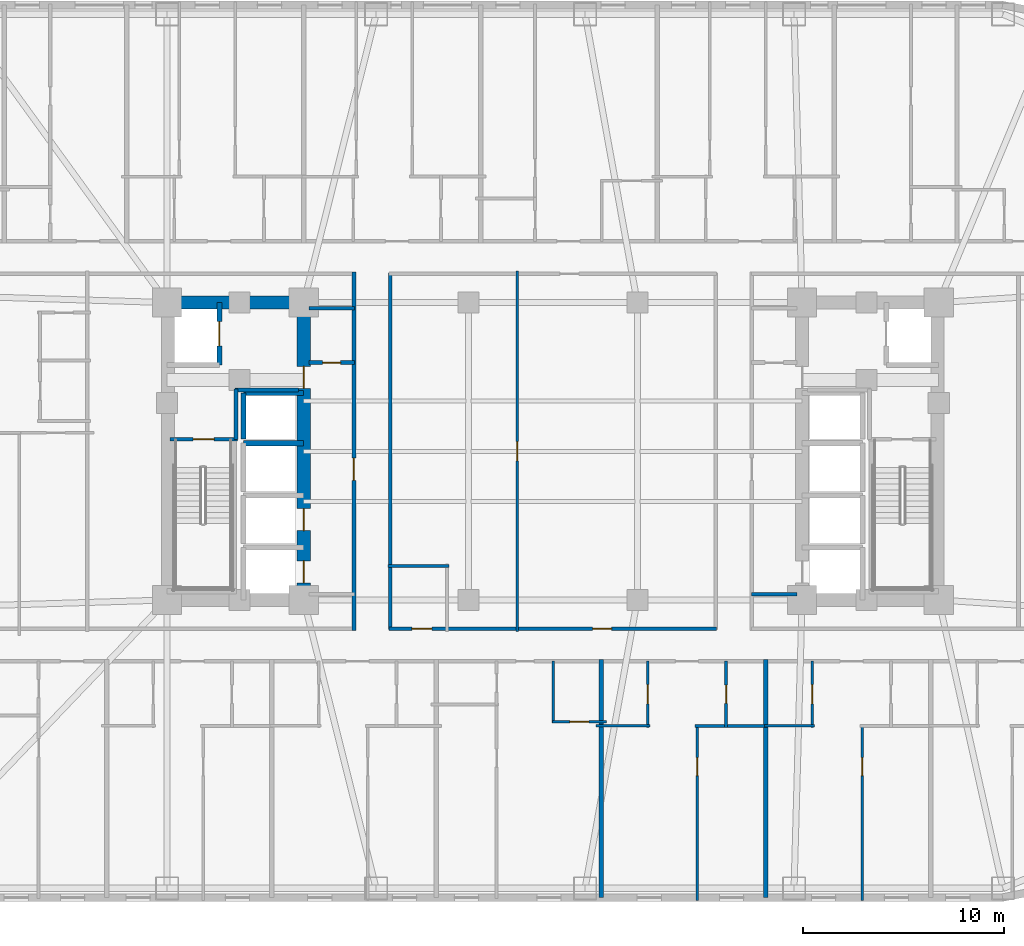
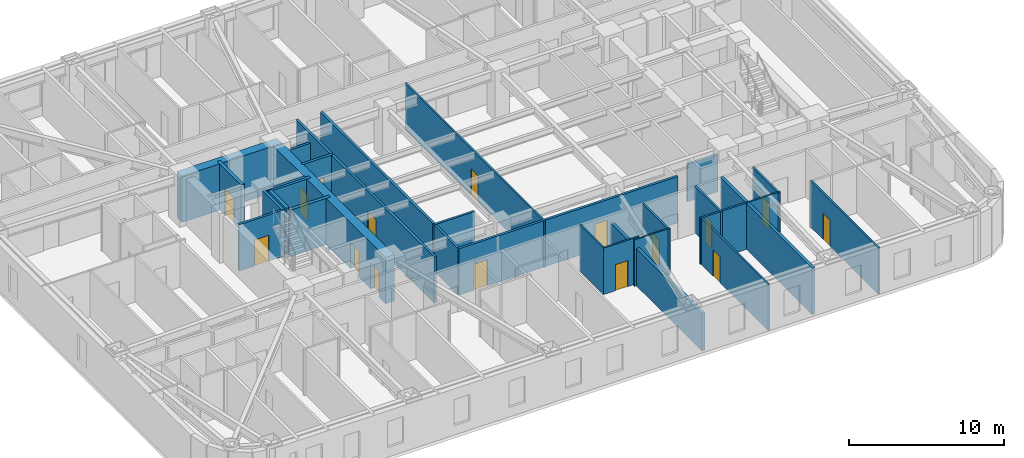
# One storey, part 5 of 12: 29 walls, 16 doors, 16 openings.
"""IFC4 building model written with IfcOpenShell, lengths in metres."""

from ifc_helpers import new_model, si_unit, direction, frame, frame_2d, origin, place, context, subcontext, project, spatial, rectangle, extrude, material, layer, layer_set, type_object, element, fill, save


model = new_model("IFC4")

# Units and contexts
model_context = context("Model", 3, precision=1e-05, world=origin(), true_north=direction((0.0, 1.0)))
body_context = subcontext(model_context, "Body", "Model", "MODEL_VIEW")
ifc_project = project(units=[si_unit("LENGTHUNIT", "METRE"), si_unit("AREAUNIT", "SQUARE_METRE"), si_unit("VOLUMEUNIT", "CUBIC_METRE"), si_unit("PLANEANGLEUNIT", "RADIAN"), si_unit("MASSUNIT", "GRAM", prefix="KILO")], contexts=[model_context])

# Site, building, storey
site_placement = place(None, origin())
site = spatial("IfcSite", under=ifc_project, at=site_placement, CompositionType="ELEMENT")
building_placement = place(site_placement, origin())
building = spatial("IfcBuilding", under=site, at=building_placement, Name="Voryun Gate Residences", CompositionType="ELEMENT")
storey_placement = place(building_placement, frame((0.0, 0.0, 72.800048828125)))
storey = spatial("IfcBuildingStorey", under=building, at=storey_placement, Name="L17", CompositionType="ELEMENT", Elevation=72.800048828125)

# Wall
ifc_material_1 = material(Name="Concrete C60/75", Category="concrete")
ifc_layer_1 = layer(ifc_material_1, 0.64990234375, Name="CW_CORE_650")
ifc_layer_set_1 = layer_set([ifc_layer_1], Name="Concrete C60/75")
wall_type_1 = type_object("IfcWallType", Name="CW_CORE_650", PredefinedType="SHEAR", material=ifc_layer_set_1)
wall_1_placement = place(storey_placement, frame((-19.52490234375, 7.39990234375, 0.0), z_axis=(0.0, 0.0, 1.0), x_axis=(1.0, 0.0, 0.0)))
element("IfcWall", 1, at=wall_1_placement, inside=storey, type_object=wall_type_1, Name="L17 Core shear wall CW-L17-WN", PredefinedType="SHEAR", context=body_context, shape_type="SweptSolid", body=[
    extrude(rectangle(XDim=7.449951171875, YDim=0.64990234375, at=frame_2d((3.72509765625, 0.0))), origin(), (0.0, 0.0, 1.0), 3.64990234375),
])

# Wall, openings, doors
wall_2_placement = place(storey_placement, frame((-12.39990234375, -7.39990234375, 0.0), z_axis=(0.0, 0.0, 1.0), x_axis=(0.0, 1.0, 0.0)))
wall_2 = element("IfcWall", 2, at=wall_2_placement, inside=storey, type_object=wall_type_1, Name="L17 Core shear wall CW-L17-WE", PredefinedType="SHEAR", context=body_context, shape_type="SweptSolid", body=[
    extrude(rectangle(XDim=14.7998046875, YDim=0.64990234375, at=frame_2d((7.39990234375, 0.0))), origin(), (0.0, 0.0, 1.0), 3.64990234375),
])
opening_1_placement = place(wall_2_placement, frame((0.85009765625, 0.0, 0.0)))
opening_1 = element("IfcOpeningElement", 3, at=opening_1_placement, cuts=wall_2, Name="Opening LD2", PredefinedType="OPENING", context=body_context, shape_type="SweptSolid", body=[
    extrude(rectangle(XDim=1.10009765625, YDim=2.050048828125, at=frame_2d((0.550048828125, 1.02490234375))), frame((0.0, 0.3349609375, 0.0), z_axis=(0.0, -1.0, 0.0), x_axis=(1.0, 0.0, 0.0)), (0.0, 0.0, 1.0), 0.669921875),
])
opening_2_placement = place(wall_2_placement, frame((3.449951171875, 0.0, 0.0)))
opening_2 = element("IfcOpeningElement", 4, at=opening_2_placement, cuts=wall_2, Name="Opening LD2", PredefinedType="OPENING", context=body_context, shape_type="SweptSolid", body=[
    extrude(rectangle(XDim=1.10009765625, YDim=2.050048828125, at=frame_2d((0.550048828125, 1.02490234375))), frame((0.0, 0.3349609375, 0.0), z_axis=(0.0, -1.0, 0.0), x_axis=(1.0, 0.0, 0.0)), (0.0, 0.0, 1.0), 0.669921875),
])
opening_3_placement = place(wall_2_placement, frame((10.530029296875, 0.0, 0.0)))
opening_3 = element("IfcOpeningElement", 5, at=opening_3_placement, cuts=wall_2, Name="Opening D-FD60-2", PredefinedType="OPENING", context=body_context, shape_type="SweptSolid", body=[
    extrude(rectangle(XDim=1.10009765625, YDim=2.050048828125, at=frame_2d((0.550048828125, 1.02490234375))), frame((0.0, 0.3349609375, 0.0), z_axis=(0.0, -1.0, 0.0), x_axis=(1.0, 0.0, 0.0)), (0.0, 0.0, 1.0), 0.669921875),
])
ifc_material_2 = material(Name="Painted steel fire door", Category="steel")
door_type_1 = type_object("IfcDoorType", Name="DR_FD60_FFLOB_1100", OperationType="NOTDEFINED", PredefinedType="DOOR", material=ifc_material_2)
door_1_placement = place(opening_3_placement, origin())
door_1 = element("IfcDoor", 6, at=door_1_placement, inside=storey, type_object=door_type_1, Name="Door DR-L17-CLOB-W", OperationType="SINGLE_SWING_LEFT", OverallHeight=2.050048828125, OverallWidth=1.10009765625, PredefinedType="DOOR", context=body_context, shape_type="SweptSolid", body=[
    extrude(rectangle(XDim=1.10009765625, YDim=2.050048828125, at=frame_2d((0.550048828125, 1.02490234375))), frame((0.0, 0.02490234375, 0.0), z_axis=(0.0, -1.0, 0.0), x_axis=(1.0, 0.0, 0.0)), (0.0, 0.0, 1.0), 0.050048828125),
])
fill(opening_3, door_1)
ifc_material_3 = material(Name="Anodised aluminium", Category="aluminium")
door_type_2 = type_object("IfcDoorType", Name="DR_LD_PASS_1100", OperationType="NOTDEFINED", PredefinedType="DOOR", material=ifc_material_3)
door_2_placement = place(opening_1_placement, origin())
door_2 = element("IfcDoor", 7, at=door_2_placement, inside=storey, type_object=door_type_2, Name="Lift EL-P1 sliding landing door L17", OperationType="SLIDING_TO_LEFT", OverallHeight=2.050048828125, OverallWidth=1.10009765625, PredefinedType="DOOR", context=body_context, shape_type="SweptSolid", body=[
    extrude(rectangle(XDim=1.10009765625, YDim=2.050048828125, at=frame_2d((0.550048828125, 1.02490234375))), frame((0.0, 0.02490234375, 0.0), z_axis=(0.0, -1.0, 0.0), x_axis=(1.0, 0.0, 0.0)), (0.0, 0.0, 1.0), 0.050048828125),
])
fill(opening_1, door_2)
door_3_placement = place(opening_2_placement, origin())
door_3 = element("IfcDoor", 8, at=door_3_placement, inside=storey, type_object=door_type_2, Name="Lift EL-P2 sliding landing door L17", OperationType="SLIDING_TO_LEFT", OverallHeight=2.050048828125, OverallWidth=1.10009765625, PredefinedType="DOOR", context=body_context, shape_type="SweptSolid", body=[
    extrude(rectangle(XDim=1.10009765625, YDim=2.050048828125, at=frame_2d((0.550048828125, 1.02490234375))), frame((0.0, 0.02490234375, 0.0), z_axis=(0.0, -1.0, 0.0), x_axis=(1.0, 0.0, 0.0)), (0.0, 0.0, 1.0), 0.050048828125),
])
fill(opening_2, door_3)

# Wall, opening, door
ifc_material_4 = material(Name="Gypsum acoustic fireboard")
ifc_layer_2 = layer(ifc_material_4, 0.179931640625, Name="W_CORR_RATED_180")
ifc_layer_set_2 = layer_set([ifc_layer_2], Name="Gypsum acoustic fireboard")
wall_type_2 = type_object("IfcWallType", Name="W_CORR_RATED_180", PredefinedType="PARTITIONING", material=ifc_layer_set_2)
wall_3_placement = place(storey_placement, frame((-19.06005859375, 0.60009765625, 0.0), z_axis=(0.0, 0.0, 1.0), x_axis=(1.0, 0.0, 0.0)))
wall_3 = element("IfcWall", 9, at=wall_3_placement, inside=storey, type_object=wall_type_2, Name="Partition wall WP-L17-STV-W", PredefinedType="PARTITIONING", context=body_context, shape_type="SweptSolid", body=[
    extrude(rectangle(XDim=3.360107421875, YDim=0.179931640625, at=frame_2d((1.68017578125, 0.0))), origin(), (0.0, 0.0, 1.0), 3.64990234375),
])
opening_4_placement = place(wall_3_placement, frame((1.155029296875, 0.0, 0.0)))
opening_4 = element("IfcOpeningElement", 10, at=opening_4_placement, cuts=wall_3, Name="Opening D-FD60-1", PredefinedType="OPENING", context=body_context, shape_type="SweptSolid", body=[
    extrude(rectangle(XDim=1.050048828125, YDim=2.050048828125, at=frame_2d((0.52490234375, 1.02490234375))), frame((0.0, 0.099853515625, 0.0), z_axis=(0.0, -1.0, 0.0), x_axis=(1.0, 0.0, 0.0)), (0.0, 0.0, 1.0), 0.199951171875),
])
ifc_material_5 = material(Name="Painted steel fire door", Category="steel")
door_type_3 = type_object("IfcDoorType", Name="DR_FD60_STAIR_1050", OperationType="NOTDEFINED", PredefinedType="DOOR", material=ifc_material_5)
door_4_placement = place(opening_4_placement, origin())
door_4 = element("IfcDoor", 11, at=door_4_placement, inside=storey, type_object=door_type_3, Name="Door DR-L17-ST-W", OperationType="SINGLE_SWING_LEFT", OverallHeight=2.050048828125, OverallWidth=1.050048828125, PredefinedType="DOOR", context=body_context, shape_type="SweptSolid", body=[
    extrude(rectangle(XDim=1.050048828125, YDim=2.050048828125, at=frame_2d((0.52490234375, 1.02490234375))), frame((0.0, 0.02490234375, 0.0), z_axis=(0.0, -1.0, 0.0), x_axis=(1.0, 0.0, 0.0)), (0.0, 0.0, 1.0), 0.050048828125),
])
fill(opening_4, door_4)

# Walls
for number, where, z_axis, x_axis, name in (
    (12, (-12.14990234375, 7.1201171875, 0.0), (0.0, 0.0, 1.0), (1.0, 0.0, 0.0), "Partition wall WP-L17-PLBN-W"),
    (13, (9.8798828125, -7.1201171875, 0.0), (0.0, 0.0, 1.0), (1.0, 0.0, 0.0), "Partition wall WP-L17-PLBS-E"),
):
    element("IfcWall", number, at=place(storey_placement, frame(where, z_axis=z_axis, x_axis=x_axis)), inside=storey, type_object=wall_type_2, Name=name, PredefinedType="PARTITIONING", context=body_context, shape_type="SweptSolid", body=[
        extrude(rectangle(XDim=2.27001953125, YDim=0.179931640625, at=frame_2d((1.135009765625, 0.0))), origin(), (0.0, 0.0, 1.0), 2.93994140625),
    ])

# Wall, opening, door
wall_4_placement = place(storey_placement, frame((-9.89990234375, -8.929931640625, 0.0), z_axis=(0.0, 0.0, 1.0), x_axis=(0.0, 1.0, 0.0)))
wall_4 = element("IfcWall", 14, at=wall_4_placement, inside=storey, type_object=wall_type_2, Name="Partition wall WP-L17-PLBW-FULL", PredefinedType="PARTITIONING", context=body_context, shape_type="SweptSolid", body=[
    extrude(rectangle(XDim=17.85986328125, YDim=0.179931640625, at=frame_2d((8.929931640625, 0.0))), origin(), (0.0, 0.0, 1.0), 3.64990234375),
])
opening_5_placement = place(wall_4_placement, frame((7.487060546875, 0.0, 0.0)))
opening_5 = element("IfcOpeningElement", 15, at=opening_5_placement, cuts=wall_4, Name="Opening D-FD60-2", PredefinedType="OPENING", context=body_context, shape_type="SweptSolid", body=[
    extrude(rectangle(XDim=1.10009765625, YDim=2.050048828125, at=frame_2d((0.550048828125, 1.02490234375))), frame((0.0, 0.099853515625, 0.0), z_axis=(0.0, -1.0, 0.0), x_axis=(1.0, 0.0, 0.0)), (0.0, 0.0, 1.0), 0.199951171875),
])
door_5_placement = place(opening_5_placement, origin())
door_5 = element("IfcDoor", 16, at=door_5_placement, inside=storey, type_object=door_type_1, Name="Door DR-L17-PLBW-COR", OperationType="SINGLE_SWING_LEFT", OverallHeight=2.050048828125, OverallWidth=1.10009765625, PredefinedType="DOOR", context=body_context, shape_type="SweptSolid", body=[
    extrude(rectangle(XDim=1.10009765625, YDim=2.050048828125, at=frame_2d((0.550048828125, 1.02490234375))), frame((0.0, 0.02490234375, 0.0), z_axis=(0.0, -1.0, 0.0), x_axis=(1.0, 0.0, 0.0)), (0.0, 0.0, 1.0), 0.050048828125),
])
fill(opening_5, door_5)

# Wall, openings, doors
wall_5_placement = place(storey_placement, frame((-8.14990234375, -8.840087890625, 0.0), z_axis=(0.0, 0.0, 1.0), x_axis=(1.0, 0.0, 0.0)))
wall_5 = element("IfcWall", 17, at=wall_5_placement, inside=storey, type_object=wall_type_2, Name="Partition wall WP-L17-Z1S", PredefinedType="PARTITIONING", context=body_context, shape_type="SweptSolid", body=[
    extrude(rectangle(XDim=16.2998046875, YDim=0.179931640625, at=frame_2d((8.14990234375, 0.0))), origin(), (0.0, 0.0, 1.0), 3.64990234375),
])
opening_6_placement = place(wall_5_placement, frame((1.1298828125, 0.0, 0.0)))
opening_6 = element("IfcOpeningElement", 18, at=opening_6_placement, cuts=wall_5, Name="Opening D-AWC-1", PredefinedType="OPENING", context=body_context, shape_type="SweptSolid", body=[
    extrude(rectangle(XDim=1.0, YDim=2.050048828125, at=frame_2d((0.5, 1.02490234375))), frame((0.0, 0.099853515625, 0.0), z_axis=(0.0, -1.0, 0.0), x_axis=(1.0, 0.0, 0.0)), (0.0, 0.0, 1.0), 0.199951171875),
])
opening_7_placement = place(wall_5_placement, frame((10.1201171875, 0.0, 0.0)))
opening_7 = element("IfcOpeningElement", 19, at=opening_7_placement, cuts=wall_5, Name="Opening D-INT-1", PredefinedType="OPENING", context=body_context, shape_type="SweptSolid", body=[
    extrude(rectangle(XDim=0.949951171875, YDim=2.050048828125, at=frame_2d((0.47509765625, 1.02490234375))), frame((0.0, 0.099853515625, 0.0), z_axis=(0.0, -1.0, 0.0), x_axis=(1.0, 0.0, 0.0)), (0.0, 0.0, 1.0), 0.199951171875),
])
ifc_material_6 = material(Name="Architectural oak veneer")
door_type_4 = type_object("IfcDoorType", Name="DR_ACC_WC_1000", OperationType="NOTDEFINED", PredefinedType="DOOR", material=ifc_material_6)
door_6_placement = place(opening_6_placement, origin())
door_6 = element("IfcDoor", 20, at=door_6_placement, inside=storey, type_object=door_type_4, Name="Door DR-L17-CMWC-D", OperationType="SINGLE_SWING_LEFT", OverallHeight=2.050048828125, OverallWidth=1.0, PredefinedType="DOOR", context=body_context, shape_type="SweptSolid", body=[
    extrude(rectangle(XDim=1.0, YDim=2.050048828125, at=frame_2d((0.5, 1.02490234375))), frame((0.0, 0.02490234375, 0.0), z_axis=(0.0, -1.0, 0.0), x_axis=(1.0, 0.0, 0.0)), (0.0, 0.0, 1.0), 0.050048828125),
])
fill(opening_6, door_6)
ifc_material_7 = material(Name="Architectural oak veneer")
door_type_5 = type_object("IfcDoorType", Name="DR_INT_ROOM_950", OperationType="NOTDEFINED", PredefinedType="DOOR", material=ifc_material_7)
door_7_placement = place(opening_7_placement, origin())
door_7 = element("IfcDoor", 21, at=door_7_placement, inside=storey, type_object=door_type_5, Name="Door DR-L17-CMIDZ1S", OperationType="SINGLE_SWING_RIGHT", OverallHeight=2.050048828125, OverallWidth=0.949951171875, PredefinedType="DOOR", context=body_context, shape_type="SweptSolid", body=[
    extrude(rectangle(XDim=0.949951171875, YDim=2.050048828125, at=frame_2d((0.47509765625, 1.02490234375))), frame((0.0, 0.02490234375, 0.0), z_axis=(0.0, -1.0, 0.0), x_axis=(1.0, 0.0, 0.0)), (0.0, 0.0, 1.0), 0.050048828125),
])
fill(opening_7, door_7)

# Walls
wall_6_placement = place(storey_placement, frame((-8.10009765625, -8.8798828125, 0.0), z_axis=(0.0, 0.0, 1.0), x_axis=(0.0, 1.0, 0.0)))
element("IfcWall", 22, at=wall_6_placement, inside=storey, type_object=wall_type_2, Name="Partition wall WP-L17-Z1W", PredefinedType="PARTITIONING", context=body_context, shape_type="SweptSolid", body=[
    extrude(rectangle(XDim=17.759765625, YDim=0.179931640625, at=frame_2d((8.8798828125, 0.0))), origin(), (0.0, 0.0, 1.0), 3.64990234375),
])
ifc_material_8 = material(Name="Concrete C40/50", Category="concrete")
ifc_layer_3 = layer(ifc_material_8, 0.199951171875, Name="W_FF_LOBBY_200")
ifc_layer_set_3 = layer_set([ifc_layer_3], Name="Concrete C40/50")
wall_type_3 = type_object("IfcWallType", Name="W_FF_LOBBY_200", PredefinedType="PARTITIONING", material=ifc_layer_set_3)
wall_7_placement = place(storey_placement, frame((-15.760009765625, 0.580078125, 0.0), z_axis=(0.0, 0.0, 1.0), x_axis=(0.0, 1.0, 0.0)))
element("IfcWall", 23, at=wall_7_placement, inside=storey, type_object=wall_type_3, Name="Partition wall WP-L17-FFP0-W", PredefinedType="PARTITIONING", context=body_context, shape_type="SweptSolid", body=[
    extrude(rectangle(XDim=2.52001953125, YDim=0.199951171875, at=frame_2d((1.260009765625, 0.0))), origin(), (0.0, 0.0, 1.0), 3.64990234375),
])
wall_8_placement = place(storey_placement, frame((-15.820068359375, 3.06005859375, 0.0), z_axis=(0.0, 0.0, 1.0), x_axis=(1.0, 0.0, 0.0)))
element("IfcWall", 24, at=wall_8_placement, inside=storey, type_object=wall_type_3, Name="Partition wall WP-L17-FFPS-W", PredefinedType="PARTITIONING", context=body_context, shape_type="SweptSolid", body=[
    extrude(rectangle(XDim=3.16015625, YDim=0.199951171875, at=frame_2d((1.580078125, 0.0))), origin(), (0.0, 0.0, 1.0), 3.64990234375),
])

# Wall, opening, door
wall_9_placement = place(storey_placement, frame((-12.14990234375, 4.409912109375, 0.0), z_axis=(0.0, 0.0, 1.0), x_axis=(1.0, 0.0, 0.0)))
wall_9 = element("IfcWall", 25, at=wall_9_placement, inside=storey, type_object=wall_type_3, Name="Partition wall WP-L17-CSFLKS-W", PredefinedType="PARTITIONING", context=body_context, shape_type="SweptSolid", body=[
    extrude(rectangle(XDim=2.27001953125, YDim=0.199951171875, at=frame_2d((1.135009765625, 0.0))), origin(), (0.0, 0.0, 1.0), 3.64990234375),
])
opening_8_placement = place(wall_9_placement, frame((0.68505859375, 0.0, 0.0)))
opening_8 = element("IfcOpeningElement", 26, at=opening_8_placement, cuts=wall_9, Name="Opening D-FD60-4", PredefinedType="OPENING", context=body_context, shape_type="SweptSolid", body=[
    extrude(rectangle(XDim=0.89990234375, YDim=2.050048828125, at=frame_2d((0.449951171875, 1.02490234375))), frame((0.0, 0.110107421875, 0.0), z_axis=(0.0, -1.0, 0.0), x_axis=(1.0, 0.0, 0.0)), (0.0, 0.0, 1.0), 0.219970703125),
])
ifc_material_9 = material(Name="Painted steel fire door", Category="steel")
door_type_6 = type_object("IfcDoorType", Name="DR_FD60_RISER_900", OperationType="NOTDEFINED", PredefinedType="DOOR", material=ifc_material_9)
door_8_placement = place(opening_8_placement, origin())
door_8 = element("IfcDoor", 27, at=door_8_placement, inside=storey, type_object=door_type_6, Name="Door DR-L17-CSFLK-W", OperationType="SINGLE_SWING_LEFT", OverallHeight=2.050048828125, OverallWidth=0.89990234375, PredefinedType="DOOR", context=body_context, shape_type="SweptSolid", body=[
    extrude(rectangle(XDim=0.89990234375, YDim=2.050048828125, at=frame_2d((0.449951171875, 1.02490234375))), frame((0.0, 0.02490234375, 0.0), z_axis=(0.0, -1.0, 0.0), x_axis=(1.0, 0.0, 0.0)), (0.0, 0.0, 1.0), 0.050048828125),
])
fill(opening_8, door_8)

# Walls
ifc_material_10 = material(Name="Concrete C40/50", Category="concrete")
ifc_layer_4 = layer(ifc_material_10, 0.219970703125, Name="W_PARTY_ACOUSTIC_220")
ifc_layer_set_4 = layer_set([ifc_layer_4], Name="Concrete C40/50")
wall_type_4 = type_object("IfcWallType", Name="W_PARTY_ACOUSTIC_220", PredefinedType="PARTITIONING", material=ifc_layer_set_4)
wall_10_placement = place(storey_placement, frame((2.39990234375, -22.2099609375, 0.0), z_axis=(0.0, 0.0, 1.0), x_axis=(0.0, 1.0, 0.0)))
element("IfcWall", 28, at=wall_10_placement, inside=storey, type_object=wall_type_4, Name="Partition wall WP-L17-SPTY-5", PredefinedType="PARTITIONING", context=body_context, shape_type="SweptSolid", body=[
    extrude(rectangle(XDim=11.83984375, YDim=0.219970703125, at=frame_2d((5.919921875, 0.0))), origin(), (0.0, 0.0, 1.0), 2.93994140625),
])
wall_11_placement = place(storey_placement, frame((10.60009765625, -22.2099609375, 0.0), z_axis=(0.0, 0.0, 1.0), x_axis=(0.0, 1.0, 0.0)))
element("IfcWall", 29, at=wall_11_placement, inside=storey, type_object=wall_type_4, Name="Partition wall WP-L17-SPTY-6", PredefinedType="PARTITIONING", context=body_context, shape_type="SweptSolid", body=[
    extrude(rectangle(XDim=11.83984375, YDim=0.219970703125, at=frame_2d((5.919921875, 0.0))), origin(), (0.0, 0.0, 1.0), 3.64990234375),
])

# Wall, opening, door
ifc_material_11 = material(Name="Concrete C50/60", Category="concrete")
ifc_layer_5 = layer(ifc_material_11, 0.25, Name="W_SHAFT_RC250")
ifc_layer_set_5 = layer_set([ifc_layer_5], Name="Concrete C50/60")
wall_type_5 = type_object("IfcWallType", Name="W_SHAFT_RC250", PredefinedType="SOLIDWALL", material=ifc_layer_set_5)
wall_12_placement = place(storey_placement, frame((-16.60009765625, 4.300048828125, 0.0), z_axis=(0.0, 0.0, 1.0), x_axis=(0.0, 1.0, 0.0)))
wall_12 = element("IfcWall", 30, at=wall_12_placement, inside=storey, type_object=wall_type_5, Name="Lift shaft wall WSH-L17-EL-FF-W1-E", PredefinedType="SOLIDWALL", context=body_context, shape_type="SweptSolid", body=[
    extrude(rectangle(XDim=3.099853515625, YDim=0.25, at=frame_2d((1.5498046875, 0.0))), origin(), (0.0, 0.0, 1.0), 3.64990234375),
])
opening_9_placement = place(wall_12_placement, frame((0.949951171875, 0.0, 0.0)))
opening_9 = element("IfcOpeningElement", 31, at=opening_9_placement, cuts=wall_12, Name="Opening LD1", PredefinedType="OPENING", context=body_context, shape_type="SweptSolid", body=[
    extrude(rectangle(XDim=1.199951171875, YDim=2.050048828125, at=frame_2d((0.60009765625, 1.02490234375))), frame((0.0, 0.135009765625, 0.0), z_axis=(0.0, -1.0, 0.0), x_axis=(1.0, 0.0, 0.0)), (0.0, 0.0, 1.0), 0.27001953125),
])
ifc_material_12 = material(Name="Anodised aluminium", Category="aluminium")
door_type_7 = type_object("IfcDoorType", Name="DR_LD_FF_1200", OperationType="NOTDEFINED", PredefinedType="DOOR", material=ifc_material_12)
door_9_placement = place(opening_9_placement, origin())
door_9 = element("IfcDoor", 32, at=door_9_placement, inside=storey, type_object=door_type_7, Name="Lift EL-FF-W1 sliding landing door L17", OperationType="SLIDING_TO_LEFT", OverallHeight=2.050048828125, OverallWidth=1.199951171875, PredefinedType="DOOR", context=body_context, shape_type="SweptSolid", body=[
    extrude(rectangle(XDim=1.199951171875, YDim=2.050048828125, at=frame_2d((0.60009765625, 1.02490234375))), frame((0.0, 0.02490234375, 0.0), z_axis=(0.0, -1.0, 0.0), x_axis=(1.0, 0.0, 0.0)), (0.0, 0.0, 1.0), 0.050048828125),
])
fill(opening_9, door_9)

# Walls
for number, where, z_axis, x_axis, name in (
    (33, (-12.39990234375, 0.39990234375, 0.0), (0.0, 0.0, 1.0), (-1.0, 0.0, 0.0), "Lift shaft wall WSH-L17-EL-P4-N"),
    (34, (-12.39990234375, 2.89990234375, 0.0), (0.0, 0.0, 1.0), (-1.0, 0.0, 0.0), "Lift shaft wall WSH-L17-EL-P7-N"),
):
    element("IfcWall", number, at=place(storey_placement, frame(where, z_axis=z_axis, x_axis=x_axis)), inside=storey, type_object=wall_type_5, Name=name, PredefinedType="SOLIDWALL", context=body_context, shape_type="SweptSolid", body=[
        extrude(rectangle(XDim=3.0, YDim=0.25, at=frame_2d((1.5, 0.0))), origin(), (0.0, 0.0, 1.0), 3.64990234375),
    ])
wall_13_placement = place(storey_placement, frame((-15.39990234375, 2.89990234375, 0.0), z_axis=(0.0, 0.0, 1.0), x_axis=(0.0, -1.0, 0.0)))
element("IfcWall", 35, at=wall_13_placement, inside=storey, type_object=wall_type_5, Name="Lift shaft wall WSH-L17-EL-P7-W", PredefinedType="SOLIDWALL", context=body_context, shape_type="SweptSolid", body=[
    extrude(rectangle(XDim=2.2998046875, YDim=0.25, at=frame_2d((1.14990234375, 0.0))), origin(), (0.0, 0.0, 1.0), 3.64990234375),
])

# Wall, opening, door
ifc_material_13 = material(Name="Gypsum acoustic partition")
ifc_layer_6 = layer(ifc_material_13, 0.125, Name="W_UNIT_PART_125")
ifc_layer_set_6 = layer_set([ifc_layer_6], Name="Gypsum acoustic partition")
wall_type_6 = type_object("IfcWallType", Name="W_UNIT_PART_125", PredefinedType="PARTITIONING", material=ifc_layer_set_6)
wall_14_placement = place(storey_placement, frame((-1.77294921875, -8.969970703125, 0.0), z_axis=(0.0, 0.0, 1.0), x_axis=(0.0, 1.0, 0.0)))
wall_14 = element("IfcWall", 36, at=wall_14_placement, inside=storey, type_object=wall_type_6, Name="Partition wall WP-L17-MIDX-0", PredefinedType="PARTITIONING", context=body_context, shape_type="SweptSolid", body=[
    extrude(rectangle(XDim=17.93994140625, YDim=0.125, at=frame_2d((8.969970703125, 0.0))), origin(), (0.0, 0.0, 1.0), 3.64990234375),
])
opening_10_placement = place(wall_14_placement, frame((8.4951171875, 0.0, 0.0)))
opening_10 = element("IfcOpeningElement", 37, at=opening_10_placement, cuts=wall_14, Name="Opening D-INT-1", PredefinedType="OPENING", context=body_context, shape_type="SweptSolid", body=[
    extrude(rectangle(XDim=0.949951171875, YDim=2.050048828125, at=frame_2d((0.47509765625, 1.02490234375))), frame((0.0, 0.072509765625, 0.0), z_axis=(0.0, -1.0, 0.0), x_axis=(1.0, 0.0, 0.0)), (0.0, 0.0, 1.0), 0.14501953125),
])
door_10_placement = place(opening_10_placement, origin())
door_10 = element("IfcDoor", 38, at=door_10_placement, inside=storey, type_object=door_type_5, Name="Door DR-L17-MIDX-0", OperationType="SINGLE_SWING_LEFT", OverallHeight=2.050048828125, OverallWidth=0.949951171875, PredefinedType="DOOR", context=body_context, shape_type="SweptSolid", body=[
    extrude(rectangle(XDim=0.949951171875, YDim=2.050048828125, at=frame_2d((0.47509765625, 1.02490234375))), frame((0.0, 0.02490234375, 0.0), z_axis=(0.0, -1.0, 0.0), x_axis=(1.0, 0.0, 0.0)), (0.0, 0.0, 1.0), 0.050048828125),
])
fill(opening_10, door_10)

wall_15_placement = place(storey_placement, frame((-0.032958984375, -13.469970703125, 0.0), z_axis=(0.0, 0.0, 1.0), x_axis=(1.0, 0.0, 0.0)))
wall_15 = element("IfcWall", 39, at=wall_15_placement, inside=storey, type_object=wall_type_6, Name="Partition wall WP-L17-S5-KHY", PredefinedType="PARTITIONING", context=body_context, shape_type="SweptSolid", body=[
    extrude(rectangle(XDim=2.69287109375, YDim=0.125, at=frame_2d((1.346435546875, 0.0))), origin(), (0.0, 0.0, 1.0), 3.64990234375),
])
opening_11_placement = place(wall_15_placement, frame((0.87158203125, 0.0, 0.0)))
opening_11 = element("IfcOpeningElement", 40, at=opening_11_placement, cuts=wall_15, Name="Opening D-INT-1", PredefinedType="OPENING", context=body_context, shape_type="SweptSolid", body=[
    extrude(rectangle(XDim=0.949951171875, YDim=2.050048828125, at=frame_2d((0.47509765625, 1.02490234375))), frame((0.0, 0.072509765625, 0.0), z_axis=(0.0, -1.0, 0.0), x_axis=(1.0, 0.0, 0.0)), (0.0, 0.0, 1.0), 0.14501953125),
])
door_11_placement = place(opening_11_placement, origin())
door_11 = element("IfcDoor", 41, at=door_11_placement, inside=storey, type_object=door_type_5, Name="Door DR-L17-S5-DK", OperationType="SINGLE_SWING_LEFT", OverallHeight=2.050048828125, OverallWidth=0.949951171875, PredefinedType="DOOR", context=body_context, shape_type="SweptSolid", body=[
    extrude(rectangle(XDim=0.949951171875, YDim=2.050048828125, at=frame_2d((0.47509765625, 1.02490234375))), frame((0.0, 0.02490234375, 0.0), z_axis=(0.0, -1.0, 0.0), x_axis=(1.0, 0.0, 0.0)), (0.0, 0.0, 1.0), 0.050048828125),
])
fill(opening_11, door_11)

# Wall
wall_16_placement = place(storey_placement, frame((0.027099609375, -13.530029296875, 0.0), z_axis=(0.0, 0.0, 1.0), x_axis=(0.0, 1.0, 0.0)))
element("IfcWall", 42, at=wall_16_placement, inside=storey, type_object=wall_type_6, Name="Partition wall WP-L17-S5-KVX", PredefinedType="PARTITIONING", context=body_context, shape_type="SweptSolid", body=[
    extrude(rectangle(XDim=3.10009765625, YDim=0.125, at=frame_2d((1.550048828125, 0.0))), origin(), (0.0, 0.0, 1.0), 3.64990234375),
])

# Wall, opening, door
wall_17_placement = place(storey_placement, frame((7.18994140625, -22.360107421875, 0.0), z_axis=(0.0, 0.0, 1.0), x_axis=(0.0, 1.0, 0.0)))
wall_17 = element("IfcWall", 43, at=wall_17_placement, inside=storey, type_object=wall_type_6, Name="Partition wall WP-L17-S6-OVR", PredefinedType="PARTITIONING", context=body_context, shape_type="SweptSolid", body=[
    extrude(rectangle(XDim=8.77001953125, YDim=0.125, at=frame_2d((4.385009765625, 0.0))), origin(), (0.0, 0.0, 1.0), 3.64990234375),
])
opening_12_placement = place(wall_17_placement, frame((6.215087890625, 0.0, 0.0)))
opening_12 = element("IfcOpeningElement", 44, at=opening_12_placement, cuts=wall_17, Name="Opening D-INT-2", PredefinedType="OPENING", context=body_context, shape_type="SweptSolid", body=[
    extrude(rectangle(XDim=0.89990234375, YDim=2.050048828125, at=frame_2d((0.449951171875, 1.02490234375))), frame((0.0, 0.072509765625, 0.0), z_axis=(0.0, -1.0, 0.0), x_axis=(1.0, 0.0, 0.0)), (0.0, 0.0, 1.0), 0.14501953125),
])
ifc_material_14 = material(Name="Architectural oak veneer")
door_type_8 = type_object("IfcDoorType", Name="DR_INT_BATH_900", OperationType="NOTDEFINED", PredefinedType="DOOR", material=ifc_material_14)
door_12_placement = place(opening_12_placement, origin())
door_12 = element("IfcDoor", 45, at=door_12_placement, inside=storey, type_object=door_type_8, Name="Door DR-L17-S6-DMB", OperationType="SINGLE_SWING_RIGHT", OverallHeight=2.050048828125, OverallWidth=0.89990234375, PredefinedType="DOOR", context=body_context, shape_type="SweptSolid", body=[
    extrude(rectangle(XDim=0.89990234375, YDim=2.050048828125, at=frame_2d((0.449951171875, 1.02490234375))), frame((0.0, 0.02490234375, 0.0), z_axis=(0.0, -1.0, 0.0), x_axis=(1.0, 0.0, 0.0)), (0.0, 0.0, 1.0), 0.050048828125),
])
fill(opening_12, door_12)

wall_18_placement = place(storey_placement, frame((4.7099609375, -13.75, 0.0), z_axis=(0.0, 0.0, 1.0), x_axis=(0.0, 1.0, 0.0)))
wall_18 = element("IfcWall", 46, at=wall_18_placement, inside=storey, type_object=wall_type_6, Name="Partition wall WP-L17-S6-IVK", PredefinedType="PARTITIONING", context=body_context, shape_type="SweptSolid", body=[
    extrude(rectangle(XDim=3.320068359375, YDim=0.125, at=frame_2d((1.66015625, 0.0))), origin(), (0.0, 0.0, 1.0), 3.64990234375),
])
opening_13_placement = place(wall_18_placement, frame((1.18505859375, 0.0, 0.0)))
opening_13 = element("IfcOpeningElement", 47, at=opening_13_placement, cuts=wall_18, Name="Opening D-INT-1", PredefinedType="OPENING", context=body_context, shape_type="SweptSolid", body=[
    extrude(rectangle(XDim=0.949951171875, YDim=2.050048828125, at=frame_2d((0.47509765625, 1.02490234375))), frame((0.0, 0.072509765625, 0.0), z_axis=(0.0, -1.0, 0.0), x_axis=(1.0, 0.0, 0.0)), (0.0, 0.0, 1.0), 0.14501953125),
])
door_13_placement = place(opening_13_placement, origin())
door_13 = element("IfcDoor", 48, at=door_13_placement, inside=storey, type_object=door_type_5, Name="Door DR-L17-S6-DK", OperationType="SINGLE_SWING_LEFT", OverallHeight=2.050048828125, OverallWidth=0.949951171875, PredefinedType="DOOR", context=body_context, shape_type="SweptSolid", body=[
    extrude(rectangle(XDim=0.949951171875, YDim=2.050048828125, at=frame_2d((0.47509765625, 1.02490234375))), frame((0.0, 0.02490234375, 0.0), z_axis=(0.0, -1.0, 0.0), x_axis=(1.0, 0.0, 0.0)), (0.0, 0.0, 1.0), 0.050048828125),
])
fill(opening_13, door_13)

# Wall
wall_19_placement = place(storey_placement, frame((2.139892578125, -13.669921875, 0.0), z_axis=(0.0, 0.0, 1.0), x_axis=(1.0, 0.0, 0.0)))
element("IfcWall", 49, at=wall_19_placement, inside=storey, type_object=wall_type_6, Name="Partition wall WP-L17-S6-HZK", PredefinedType="PARTITIONING", context=body_context, shape_type="SweptSolid", body=[
    extrude(rectangle(XDim=2.690185546875, YDim=0.125, at=frame_2d((1.34521484375, 0.0))), origin(), (0.0, 0.0, 1.0), 3.64990234375),
])

# Wall, opening, door
wall_20_placement = place(storey_placement, frame((15.389892578125, -22.360107421875, 0.0), z_axis=(0.0, 0.0, 1.0), x_axis=(0.0, 1.0, 0.0)))
wall_20 = element("IfcWall", 50, at=wall_20_placement, inside=storey, type_object=wall_type_6, Name="Partition wall WP-L17-S7-OVR", PredefinedType="PARTITIONING", context=body_context, shape_type="SweptSolid", body=[
    extrude(rectangle(XDim=8.77001953125, YDim=0.125, at=frame_2d((4.385009765625, 0.0))), origin(), (0.0, 0.0, 1.0), 3.64990234375),
])
opening_14_placement = place(wall_20_placement, frame((6.215087890625, 0.0, 0.0)))
opening_14 = element("IfcOpeningElement", 51, at=opening_14_placement, cuts=wall_20, Name="Opening D-INT-2", PredefinedType="OPENING", context=body_context, shape_type="SweptSolid", body=[
    extrude(rectangle(XDim=0.89990234375, YDim=2.050048828125, at=frame_2d((0.449951171875, 1.02490234375))), frame((0.0, 0.072509765625, 0.0), z_axis=(0.0, -1.0, 0.0), x_axis=(1.0, 0.0, 0.0)), (0.0, 0.0, 1.0), 0.14501953125),
])
door_14_placement = place(opening_14_placement, origin())
door_14 = element("IfcDoor", 52, at=door_14_placement, inside=storey, type_object=door_type_8, Name="Door DR-L17-S7-DMB", OperationType="SINGLE_SWING_RIGHT", OverallHeight=2.050048828125, OverallWidth=0.89990234375, PredefinedType="DOOR", context=body_context, shape_type="SweptSolid", body=[
    extrude(rectangle(XDim=0.89990234375, YDim=2.050048828125, at=frame_2d((0.449951171875, 1.02490234375))), frame((0.0, 0.02490234375, 0.0), z_axis=(0.0, -1.0, 0.0), x_axis=(1.0, 0.0, 0.0)), (0.0, 0.0, 1.0), 0.050048828125),
])
fill(opening_14, door_14)

wall_21_placement = place(storey_placement, frame((12.909912109375, -13.75, 0.0), z_axis=(0.0, 0.0, 1.0), x_axis=(0.0, 1.0, 0.0)))
wall_21 = element("IfcWall", 53, at=wall_21_placement, inside=storey, type_object=wall_type_6, Name="Partition wall WP-L17-S7-IVK", PredefinedType="PARTITIONING", context=body_context, shape_type="SweptSolid", body=[
    extrude(rectangle(XDim=3.320068359375, YDim=0.125, at=frame_2d((1.66015625, 0.0))), origin(), (0.0, 0.0, 1.0), 3.64990234375),
])
opening_15_placement = place(wall_21_placement, frame((1.18505859375, 0.0, 0.0)))
opening_15 = element("IfcOpeningElement", 54, at=opening_15_placement, cuts=wall_21, Name="Opening D-INT-1", PredefinedType="OPENING", context=body_context, shape_type="SweptSolid", body=[
    extrude(rectangle(XDim=0.949951171875, YDim=2.050048828125, at=frame_2d((0.47509765625, 1.02490234375))), frame((0.0, 0.072509765625, 0.0), z_axis=(0.0, -1.0, 0.0), x_axis=(1.0, 0.0, 0.0)), (0.0, 0.0, 1.0), 0.14501953125),
])
door_15_placement = place(opening_15_placement, origin())
door_15 = element("IfcDoor", 55, at=door_15_placement, inside=storey, type_object=door_type_5, Name="Door DR-L17-S7-DK", OperationType="SINGLE_SWING_LEFT", OverallHeight=2.050048828125, OverallWidth=0.949951171875, PredefinedType="DOOR", context=body_context, shape_type="SweptSolid", body=[
    extrude(rectangle(XDim=0.949951171875, YDim=2.050048828125, at=frame_2d((0.47509765625, 1.02490234375))), frame((0.0, 0.02490234375, 0.0), z_axis=(0.0, -1.0, 0.0), x_axis=(1.0, 0.0, 0.0)), (0.0, 0.0, 1.0), 0.050048828125),
])
fill(opening_15, door_15)

# Walls
wall_22_placement = place(storey_placement, frame((10.52490234375, -13.669921875, 0.0), z_axis=(0.0, 0.0, 1.0), x_axis=(1.0, 0.0, 0.0)))
element("IfcWall", 56, at=wall_22_placement, inside=storey, type_object=wall_type_6, Name="Partition wall WP-L17-S7-HZK", PredefinedType="PARTITIONING", context=body_context, shape_type="SweptSolid", body=[
    extrude(rectangle(XDim=2.505126953125, YDim=0.125, at=frame_2d((1.25244140625, 0.0))), origin(), (0.0, 0.0, 1.0), 3.64990234375),
])
ifc_material_15 = material(Name="Gypsum moisture-resistant partition")
ifc_layer_7 = layer(ifc_material_15, 0.14990234375, Name="W_WET_PLUMB_150")
ifc_layer_set_7 = layer_set([ifc_layer_7], Name="Gypsum moisture-resistant partition")
wall_type_7 = type_object("IfcWallType", Name="W_WET_PLUMB_150", PredefinedType="PLUMBINGWALL", material=ifc_layer_set_7)
wall_23_placement = place(storey_placement, frame((-8.2099609375, -5.719970703125, 0.0), z_axis=(0.0, 0.0, 1.0), x_axis=(1.0, 0.0, 0.0)))
element("IfcWall", 57, at=wall_23_placement, inside=storey, type_object=wall_type_7, Name="Partition wall WP-L17-CMWCY", PredefinedType="PLUMBINGWALL", context=body_context, shape_type="SweptSolid", body=[
    extrude(rectangle(XDim=3.050048828125, YDim=0.14990234375, at=frame_2d((1.52490234375, 0.0))), origin(), (0.0, 0.0, 1.0), 3.64990234375),
])
wall_24_placement = place(storey_placement, frame((7.070068359375, -13.669921875, 0.0), z_axis=(0.0, 0.0, 1.0), x_axis=(1.0, 0.0, 0.0)))
element("IfcWall", 58, at=wall_24_placement, inside=storey, type_object=wall_type_7, Name="Partition wall WP-L17-S6-HZB", PredefinedType="PLUMBINGWALL", context=body_context, shape_type="SweptSolid", body=[
    extrude(rectangle(XDim=3.60498046875, YDim=0.14990234375, at=frame_2d((1.802490234375, 0.0))), origin(), (0.0, 0.0, 1.0), 3.64990234375),
])

# Wall, opening, door
wall_25_placement = place(storey_placement, frame((8.6201171875, -13.75, 0.0), z_axis=(0.0, 0.0, 1.0), x_axis=(0.0, 1.0, 0.0)))
wall_25 = element("IfcWall", 59, at=wall_25_placement, inside=storey, type_object=wall_type_7, Name="Partition wall WP-L17-S6-IVB", PredefinedType="PLUMBINGWALL", context=body_context, shape_type="SweptSolid", body=[
    extrude(rectangle(XDim=3.320068359375, YDim=0.14990234375, at=frame_2d((1.66015625, 0.0))), origin(), (0.0, 0.0, 1.0), 3.64990234375),
])
opening_16_placement = place(wall_25_placement, frame((1.2099609375, 0.0, 0.0)))
opening_16 = element("IfcOpeningElement", 60, at=opening_16_placement, cuts=wall_25, Name="Opening D-INT-2", PredefinedType="OPENING", context=body_context, shape_type="SweptSolid", body=[
    extrude(rectangle(XDim=0.89990234375, YDim=2.050048828125, at=frame_2d((0.449951171875, 1.02490234375))), frame((0.0, 0.0849609375, 0.0), z_axis=(0.0, -1.0, 0.0), x_axis=(1.0, 0.0, 0.0)), (0.0, 0.0, 1.0), 0.169921875),
])
door_16_placement = place(opening_16_placement, origin())
door_16 = element("IfcDoor", 61, at=door_16_placement, inside=storey, type_object=door_type_8, Name="Door DR-L17-S6-DB", OperationType="SINGLE_SWING_RIGHT", OverallHeight=2.050048828125, OverallWidth=0.89990234375, PredefinedType="DOOR", context=body_context, shape_type="SweptSolid", body=[
    extrude(rectangle(XDim=0.89990234375, YDim=2.050048828125, at=frame_2d((0.449951171875, 1.02490234375))), frame((0.0, 0.02490234375, 0.0), z_axis=(0.0, -1.0, 0.0), x_axis=(1.0, 0.0, 0.0)), (0.0, 0.0, 1.0), 0.050048828125),
])
fill(opening_16, door_16)

save(model, "model.ifc")
